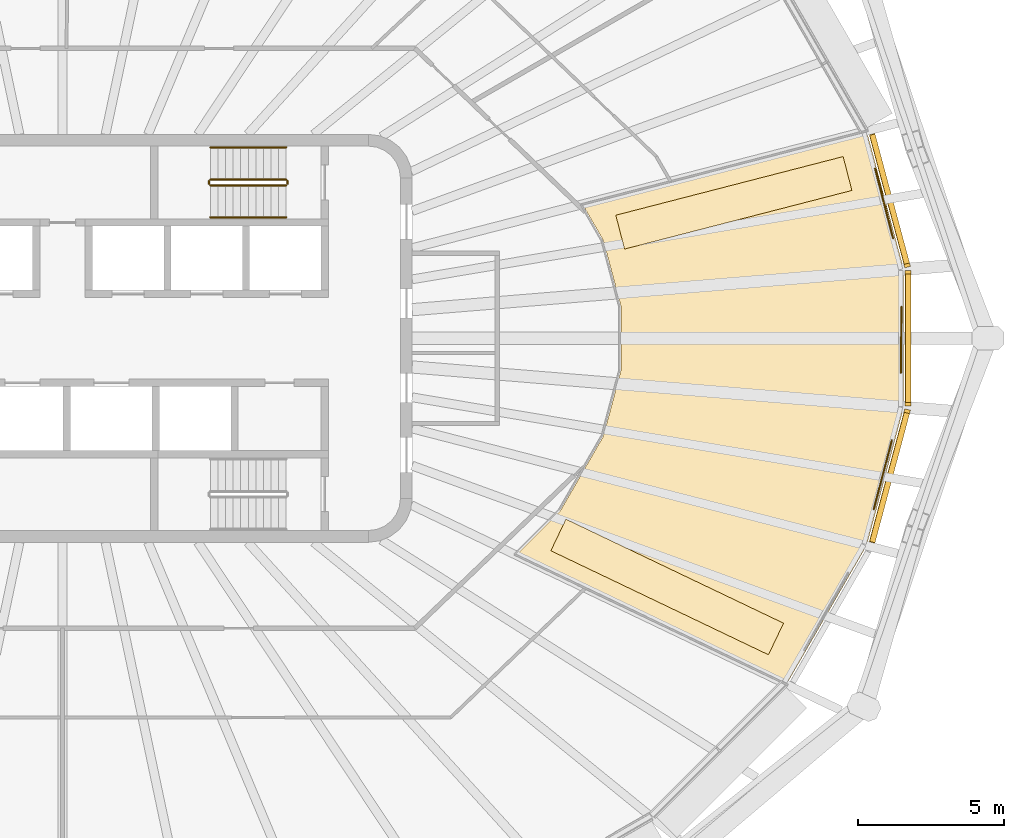
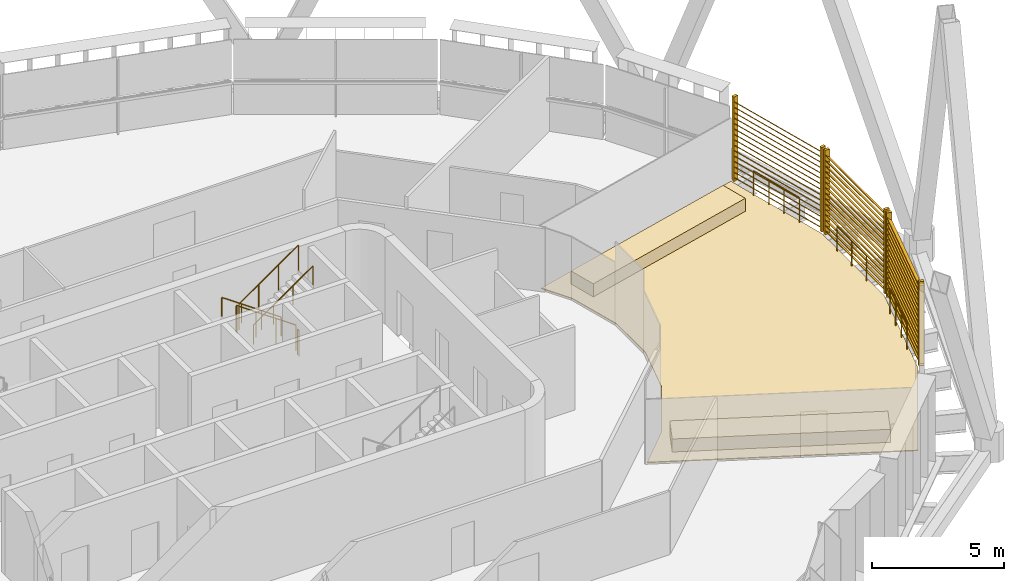
# One storey, part 21 of 22: 9 railings, 3 coverings, 3 shading devices.
"""IFC4 building model written with IfcOpenShell, lengths in metres."""

from ifc_helpers import new_model, si_unit, direction, frame, origin, origin_2d, place, context, subcontext, project, spatial, polyline, rectangle, circle, outline, extrude, material, layer, layer_set, type_object, element, save


model = new_model("IFC4")

# Units and contexts
model_context = context("Model", 3, precision=1e-05, world=origin(), true_north=direction((0.0, 1.0)))
body_context = subcontext(model_context, "Body", "Model", "MODEL_VIEW")
ifc_project = project(units=[si_unit("LENGTHUNIT", "METRE"), si_unit("AREAUNIT", "SQUARE_METRE"), si_unit("VOLUMEUNIT", "CUBIC_METRE"), si_unit("PLANEANGLEUNIT", "RADIAN"), si_unit("MASSUNIT", "GRAM", prefix="KILO")], contexts=[model_context])

# Site, building, storey
site_placement = place(None, origin())
site = spatial("IfcSite", under=ifc_project, at=site_placement, CompositionType="ELEMENT")
building_placement = place(site_placement, origin())
building = spatial("IfcBuilding", under=site, at=building_placement, Name="Sahrelin Media Tower", CompositionType="ELEMENT")
storey_placement = place(building_placement, frame((0.0, 0.0, 283.0)))
storey = spatial("IfcBuildingStorey", under=building, at=storey_placement, Name="L62", CompositionType="ELEMENT", Elevation=283.0)

# Covering
ifc_material_1 = material(Name="Stone paving", Category="masonry")
ifc_layer = layer(ifc_material_1, 0.0400390625)
ifc_layer_set = layer_set([ifc_layer], Name="Garden paving")
covering_type_1 = type_object("IfcCoveringType", Name="Garden paving", PredefinedType="FLOORING", material=ifc_layer_set)
covering_1_placement = place(storey_placement, origin())
element("IfcCovering", 1, at=covering_1_placement, inside=storey, type_object=covering_type_1, Name="Garden paving G8", PredefinedType="FLOORING", context=body_context, shape_type="SweptSolid", body=[
    extrude(outline(polyline([(28.868896484375, -2.362548828125), (27.59716796875, -7.1083984375), (24.8701171875, -11.831787109375), (15.598388671875, -7.400390625), (17.08837890625, -5.910400390625), (18.558349609375, -3.364501953125), (19.1689453125, -1.085693359375), (19.1689453125, 1.085693359375), (18.558349609375, 3.364501953125), (17.8701171875, 4.55615234375), (27.6083984375, 7.06689453125), (28.868896484375, 2.362548828125), (28.868896484375, -2.362548828125)])), origin(), (0.0, 0.0, 1.0), 0.0400390625),
])

# Shading devices
ifc_material_2 = material(Name="Champagne anodised aluminium 6063-T6", Category="aluminium")
shading_device_type = type_object("IfcShadingDeviceType", Name="Garden screen", PredefinedType="USERDEFINED", material=ifc_material_2)
shading_device_1_placement = place(storey_placement, frame((28.9189453125, 0.0, 0.0), z_axis=(0.0, 0.0, 1.0), x_axis=(0.0, -1.0, 0.0)))
element("IfcShadingDevice", 2, at=shading_device_1_placement, inside=storey, type_object=shading_device_type, Name="L62:SCREEN:L62-00", ObjectType="SCREEN", PredefinedType="USERDEFINED", context=body_context, shape_type="SweptSolid", body=[
    extrude(rectangle(XDim=0.1201171875, YDim=0.199951171875, at=origin_2d()), frame((2.25927734375, 0.10009765625, 0.050048828125), z_axis=(0.0, 0.0, 1.0), x_axis=(1.0, 0.0, 0.0)), (0.0, 0.0, 1.0), 3.89990234375),
    extrude(rectangle(XDim=0.1201171875, YDim=0.199951171875, at=origin_2d()), frame((-2.25927734375, 0.10009765625, 0.050048828125), z_axis=(0.0, 0.0, 1.0), x_axis=(1.0, 0.0, 0.0)), (0.0, 0.0, 1.0), 3.89990234375),
    extrude(rectangle(XDim=0.25, YDim=0.02001953125, at=origin_2d()), frame((2.19921875, 0.10009765625, 0.14990234375), z_axis=(-1.0, 0.0, 0.0), x_axis=(0.0, -0.766044443119, 0.642787609687)), (0.0, 0.0, 1.0), 4.3984375),
    extrude(rectangle(XDim=0.25, YDim=0.02001953125, at=origin_2d()), frame((2.19921875, 0.10009765625, 0.39990234375), z_axis=(-1.0, 0.0, 0.0), x_axis=(0.0, -0.766044443119, 0.642787609687)), (0.0, 0.0, 1.0), 4.3984375),
    extrude(rectangle(XDim=0.25, YDim=0.02001953125, at=origin_2d()), frame((2.19921875, 0.10009765625, 0.64990234375), z_axis=(-1.0, 0.0, 0.0), x_axis=(0.0, -0.766044443119, 0.642787609687)), (0.0, 0.0, 1.0), 4.3984375),
    extrude(rectangle(XDim=0.25, YDim=0.02001953125, at=origin_2d()), frame((2.19921875, 0.10009765625, 0.89990234375), z_axis=(-1.0, 0.0, 0.0), x_axis=(0.0, -0.766044443119, 0.642787609687)), (0.0, 0.0, 1.0), 4.3984375),
    extrude(rectangle(XDim=0.25, YDim=0.02001953125, at=origin_2d()), frame((2.19921875, 0.10009765625, 1.14990234375), z_axis=(-1.0, 0.0, 0.0), x_axis=(0.0, -0.766044443119, 0.642787609687)), (0.0, 0.0, 1.0), 4.3984375),
    extrude(rectangle(XDim=0.25, YDim=0.02001953125, at=origin_2d()), frame((2.19921875, 0.10009765625, 1.39990234375), z_axis=(-1.0, 0.0, 0.0), x_axis=(0.0, -0.766044443119, 0.642787609687)), (0.0, 0.0, 1.0), 4.3984375),
    extrude(rectangle(XDim=0.25, YDim=0.02001953125, at=origin_2d()), frame((2.19921875, 0.10009765625, 1.64990234375), z_axis=(-1.0, 0.0, 0.0), x_axis=(0.0, -0.766044443119, 0.642787609687)), (0.0, 0.0, 1.0), 4.3984375),
    extrude(rectangle(XDim=0.25, YDim=0.02001953125, at=origin_2d()), frame((2.19921875, 0.10009765625, 1.89990234375), z_axis=(-1.0, 0.0, 0.0), x_axis=(0.0, -0.766044443119, 0.642787609687)), (0.0, 0.0, 1.0), 4.3984375),
    extrude(rectangle(XDim=0.25, YDim=0.02001953125, at=origin_2d()), frame((2.19921875, 0.10009765625, 2.14990234375), z_axis=(-1.0, 0.0, 0.0), x_axis=(0.0, -0.766044443119, 0.642787609687)), (0.0, 0.0, 1.0), 4.3984375),
    extrude(rectangle(XDim=0.25, YDim=0.02001953125, at=origin_2d()), frame((2.19921875, 0.10009765625, 2.39990234375), z_axis=(-1.0, 0.0, 0.0), x_axis=(0.0, -0.766044443119, 0.642787609687)), (0.0, 0.0, 1.0), 4.3984375),
    extrude(rectangle(XDim=0.25, YDim=0.02001953125, at=origin_2d()), frame((2.19921875, 0.10009765625, 2.64990234375), z_axis=(-1.0, 0.0, 0.0), x_axis=(0.0, -0.766044443119, 0.642787609687)), (0.0, 0.0, 1.0), 4.3984375),
    extrude(rectangle(XDim=0.25, YDim=0.02001953125, at=origin_2d()), frame((2.19921875, 0.10009765625, 2.89990234375), z_axis=(-1.0, 0.0, 0.0), x_axis=(0.0, -0.766044443119, 0.642787609687)), (0.0, 0.0, 1.0), 4.3984375),
    extrude(rectangle(XDim=0.25, YDim=0.02001953125, at=origin_2d()), frame((2.19921875, 0.10009765625, 3.14990234375), z_axis=(-1.0, 0.0, 0.0), x_axis=(0.0, -0.766044443119, 0.642787609687)), (0.0, 0.0, 1.0), 4.3984375),
    extrude(rectangle(XDim=0.25, YDim=0.02001953125, at=origin_2d()), frame((2.19921875, 0.10009765625, 3.39990234375), z_axis=(-1.0, 0.0, 0.0), x_axis=(0.0, -0.766044443119, 0.642787609687)), (0.0, 0.0, 1.0), 4.3984375),
    extrude(rectangle(XDim=0.25, YDim=0.02001953125, at=origin_2d()), frame((2.19921875, 0.10009765625, 3.64990234375), z_axis=(-1.0, 0.0, 0.0), x_axis=(0.0, -0.766044443119, 0.642787609687)), (0.0, 0.0, 1.0), 4.3984375),
])
shading_device_2_placement = place(storey_placement, frame((28.28125, 4.74853515625, 0.0), z_axis=(0.0, 0.0, 1.0), x_axis=(0.258807731996, -0.965928857556, 0.0)))
element("IfcShadingDevice", 3, at=shading_device_2_placement, inside=storey, type_object=shading_device_type, Name="L62:SCREEN:L62-01", ObjectType="SCREEN", PredefinedType="USERDEFINED", context=body_context, shape_type="SweptSolid", body=[
    extrude(rectangle(XDim=0.1201171875, YDim=0.199951171875, at=origin_2d()), frame((2.353271484375, 0.10009765625, 0.050048828125), z_axis=(0.0, 0.0, 1.0), x_axis=(1.0, 0.0, 0.0)), (0.0, 0.0, 1.0), 3.89990234375),
    extrude(rectangle(XDim=0.1201171875, YDim=0.199951171875, at=origin_2d()), frame((-2.353271484375, 0.10009765625, 0.050048828125), z_axis=(0.0, 0.0, 1.0), x_axis=(1.0, 0.0, 0.0)), (0.0, 0.0, 1.0), 3.89990234375),
    extrude(rectangle(XDim=0.25, YDim=0.02001953125, at=origin_2d()), frame((2.293212890625, 0.10009765625, 0.14990234375), z_axis=(-1.0, 0.0, 0.0), x_axis=(0.0, -0.766044443119, 0.642787609687)), (0.0, 0.0, 1.0), 4.58642578125),
    extrude(rectangle(XDim=0.25, YDim=0.02001953125, at=origin_2d()), frame((2.293212890625, 0.10009765625, 0.39990234375), z_axis=(-1.0, 0.0, 0.0), x_axis=(0.0, -0.766044443119, 0.642787609687)), (0.0, 0.0, 1.0), 4.58642578125),
    extrude(rectangle(XDim=0.25, YDim=0.02001953125, at=origin_2d()), frame((2.293212890625, 0.10009765625, 0.64990234375), z_axis=(-1.0, 0.0, 0.0), x_axis=(0.0, -0.766044443119, 0.642787609687)), (0.0, 0.0, 1.0), 4.58642578125),
    extrude(rectangle(XDim=0.25, YDim=0.02001953125, at=origin_2d()), frame((2.293212890625, 0.10009765625, 0.89990234375), z_axis=(-1.0, 0.0, 0.0), x_axis=(0.0, -0.766044443119, 0.642787609687)), (0.0, 0.0, 1.0), 4.58642578125),
    extrude(rectangle(XDim=0.25, YDim=0.02001953125, at=origin_2d()), frame((2.293212890625, 0.10009765625, 1.14990234375), z_axis=(-1.0, 0.0, 0.0), x_axis=(0.0, -0.766044443119, 0.642787609687)), (0.0, 0.0, 1.0), 4.58642578125),
    extrude(rectangle(XDim=0.25, YDim=0.02001953125, at=origin_2d()), frame((2.293212890625, 0.10009765625, 1.39990234375), z_axis=(-1.0, 0.0, 0.0), x_axis=(0.0, -0.766044443119, 0.642787609687)), (0.0, 0.0, 1.0), 4.58642578125),
    extrude(rectangle(XDim=0.25, YDim=0.02001953125, at=origin_2d()), frame((2.293212890625, 0.10009765625, 1.64990234375), z_axis=(-1.0, 0.0, 0.0), x_axis=(0.0, -0.766044443119, 0.642787609687)), (0.0, 0.0, 1.0), 4.58642578125),
    extrude(rectangle(XDim=0.25, YDim=0.02001953125, at=origin_2d()), frame((2.293212890625, 0.10009765625, 1.89990234375), z_axis=(-1.0, 0.0, 0.0), x_axis=(0.0, -0.766044443119, 0.642787609687)), (0.0, 0.0, 1.0), 4.58642578125),
    extrude(rectangle(XDim=0.25, YDim=0.02001953125, at=origin_2d()), frame((2.293212890625, 0.10009765625, 2.14990234375), z_axis=(-1.0, 0.0, 0.0), x_axis=(0.0, -0.766044443119, 0.642787609687)), (0.0, 0.0, 1.0), 4.58642578125),
    extrude(rectangle(XDim=0.25, YDim=0.02001953125, at=origin_2d()), frame((2.293212890625, 0.10009765625, 2.39990234375), z_axis=(-1.0, 0.0, 0.0), x_axis=(0.0, -0.766044443119, 0.642787609687)), (0.0, 0.0, 1.0), 4.58642578125),
    extrude(rectangle(XDim=0.25, YDim=0.02001953125, at=origin_2d()), frame((2.293212890625, 0.10009765625, 2.64990234375), z_axis=(-1.0, 0.0, 0.0), x_axis=(0.0, -0.766044443119, 0.642787609687)), (0.0, 0.0, 1.0), 4.58642578125),
    extrude(rectangle(XDim=0.25, YDim=0.02001953125, at=origin_2d()), frame((2.293212890625, 0.10009765625, 2.89990234375), z_axis=(-1.0, 0.0, 0.0), x_axis=(0.0, -0.766044443119, 0.642787609687)), (0.0, 0.0, 1.0), 4.58642578125),
    extrude(rectangle(XDim=0.25, YDim=0.02001953125, at=origin_2d()), frame((2.293212890625, 0.10009765625, 3.14990234375), z_axis=(-1.0, 0.0, 0.0), x_axis=(0.0, -0.766044443119, 0.642787609687)), (0.0, 0.0, 1.0), 4.58642578125),
    extrude(rectangle(XDim=0.25, YDim=0.02001953125, at=origin_2d()), frame((2.293212890625, 0.10009765625, 3.39990234375), z_axis=(-1.0, 0.0, 0.0), x_axis=(0.0, -0.766044443119, 0.642787609687)), (0.0, 0.0, 1.0), 4.58642578125),
    extrude(rectangle(XDim=0.25, YDim=0.02001953125, at=origin_2d()), frame((2.293212890625, 0.10009765625, 3.64990234375), z_axis=(-1.0, 0.0, 0.0), x_axis=(0.0, -0.766044443119, 0.642787609687)), (0.0, 0.0, 1.0), 4.58642578125),
])
shading_device_3_placement = place(storey_placement, frame((28.28125, -4.74853515625, 0.0), z_axis=(0.0, 0.0, 1.0), x_axis=(-0.258807731996, -0.965928857556, 0.0)))
element("IfcShadingDevice", 4, at=shading_device_3_placement, inside=storey, type_object=shading_device_type, Name="L62:SCREEN:L62-23", ObjectType="SCREEN", PredefinedType="USERDEFINED", context=body_context, shape_type="SweptSolid", body=[
    extrude(rectangle(XDim=0.1201171875, YDim=0.199951171875, at=origin_2d()), frame((2.353271484375, 0.10009765625, 0.050048828125), z_axis=(0.0, 0.0, 1.0), x_axis=(1.0, 0.0, 0.0)), (0.0, 0.0, 1.0), 3.89990234375),
    extrude(rectangle(XDim=0.1201171875, YDim=0.199951171875, at=origin_2d()), frame((-2.353271484375, 0.10009765625, 0.050048828125), z_axis=(0.0, 0.0, 1.0), x_axis=(1.0, 0.0, 0.0)), (0.0, 0.0, 1.0), 3.89990234375),
    extrude(rectangle(XDim=0.25, YDim=0.02001953125, at=origin_2d()), frame((2.293212890625, 0.10009765625, 0.14990234375), z_axis=(-1.0, 0.0, 0.0), x_axis=(0.0, -0.766044443119, 0.642787609687)), (0.0, 0.0, 1.0), 4.58642578125),
    extrude(rectangle(XDim=0.25, YDim=0.02001953125, at=origin_2d()), frame((2.293212890625, 0.10009765625, 0.39990234375), z_axis=(-1.0, 0.0, 0.0), x_axis=(0.0, -0.766044443119, 0.642787609687)), (0.0, 0.0, 1.0), 4.58642578125),
    extrude(rectangle(XDim=0.25, YDim=0.02001953125, at=origin_2d()), frame((2.293212890625, 0.10009765625, 0.64990234375), z_axis=(-1.0, 0.0, 0.0), x_axis=(0.0, -0.766044443119, 0.642787609687)), (0.0, 0.0, 1.0), 4.58642578125),
    extrude(rectangle(XDim=0.25, YDim=0.02001953125, at=origin_2d()), frame((2.293212890625, 0.10009765625, 0.89990234375), z_axis=(-1.0, 0.0, 0.0), x_axis=(0.0, -0.766044443119, 0.642787609687)), (0.0, 0.0, 1.0), 4.58642578125),
    extrude(rectangle(XDim=0.25, YDim=0.02001953125, at=origin_2d()), frame((2.293212890625, 0.10009765625, 1.14990234375), z_axis=(-1.0, 0.0, 0.0), x_axis=(0.0, -0.766044443119, 0.642787609687)), (0.0, 0.0, 1.0), 4.58642578125),
    extrude(rectangle(XDim=0.25, YDim=0.02001953125, at=origin_2d()), frame((2.293212890625, 0.10009765625, 1.39990234375), z_axis=(-1.0, 0.0, 0.0), x_axis=(0.0, -0.766044443119, 0.642787609687)), (0.0, 0.0, 1.0), 4.58642578125),
    extrude(rectangle(XDim=0.25, YDim=0.02001953125, at=origin_2d()), frame((2.293212890625, 0.10009765625, 1.64990234375), z_axis=(-1.0, 0.0, 0.0), x_axis=(0.0, -0.766044443119, 0.642787609687)), (0.0, 0.0, 1.0), 4.58642578125),
    extrude(rectangle(XDim=0.25, YDim=0.02001953125, at=origin_2d()), frame((2.293212890625, 0.10009765625, 1.89990234375), z_axis=(-1.0, 0.0, 0.0), x_axis=(0.0, -0.766044443119, 0.642787609687)), (0.0, 0.0, 1.0), 4.58642578125),
    extrude(rectangle(XDim=0.25, YDim=0.02001953125, at=origin_2d()), frame((2.293212890625, 0.10009765625, 2.14990234375), z_axis=(-1.0, 0.0, 0.0), x_axis=(0.0, -0.766044443119, 0.642787609687)), (0.0, 0.0, 1.0), 4.58642578125),
    extrude(rectangle(XDim=0.25, YDim=0.02001953125, at=origin_2d()), frame((2.293212890625, 0.10009765625, 2.39990234375), z_axis=(-1.0, 0.0, 0.0), x_axis=(0.0, -0.766044443119, 0.642787609687)), (0.0, 0.0, 1.0), 4.58642578125),
    extrude(rectangle(XDim=0.25, YDim=0.02001953125, at=origin_2d()), frame((2.293212890625, 0.10009765625, 2.64990234375), z_axis=(-1.0, 0.0, 0.0), x_axis=(0.0, -0.766044443119, 0.642787609687)), (0.0, 0.0, 1.0), 4.58642578125),
    extrude(rectangle(XDim=0.25, YDim=0.02001953125, at=origin_2d()), frame((2.293212890625, 0.10009765625, 2.89990234375), z_axis=(-1.0, 0.0, 0.0), x_axis=(0.0, -0.766044443119, 0.642787609687)), (0.0, 0.0, 1.0), 4.58642578125),
    extrude(rectangle(XDim=0.25, YDim=0.02001953125, at=origin_2d()), frame((2.293212890625, 0.10009765625, 3.14990234375), z_axis=(-1.0, 0.0, 0.0), x_axis=(0.0, -0.766044443119, 0.642787609687)), (0.0, 0.0, 1.0), 4.58642578125),
    extrude(rectangle(XDim=0.25, YDim=0.02001953125, at=origin_2d()), frame((2.293212890625, 0.10009765625, 3.39990234375), z_axis=(-1.0, 0.0, 0.0), x_axis=(0.0, -0.766044443119, 0.642787609687)), (0.0, 0.0, 1.0), 4.58642578125),
    extrude(rectangle(XDim=0.25, YDim=0.02001953125, at=origin_2d()), frame((2.293212890625, 0.10009765625, 3.64990234375), z_axis=(-1.0, 0.0, 0.0), x_axis=(0.0, -0.766044443119, 0.642787609687)), (0.0, 0.0, 1.0), 4.58642578125),
])

# Railings
ifc_material_3 = material(Name="Stainless steel 316", Category="steel")
railing_type_1 = type_object("IfcRailingType", Name="Sky garden guard", PredefinedType="GUARDRAIL", material=ifc_material_3)
railing_1_placement = place(storey_placement, frame((27.84228515625, -5.859130859375, 0.0)))
element("IfcRailing", 5, at=railing_1_placement, inside=storey, type_object=railing_type_1, Name="Sky garden guard G8-2", PredefinedType="GUARDRAIL", context=body_context, shape_type="SweptSolid", body=[
    extrude(circle(Radius=0.02392578125, at=origin_2d()), frame((0.0, 0.0, 1.17578125), z_axis=(0.253564993159, 0.967318352066, 0.0), x_axis=(-0.967318352066, 0.253564993159, 0.0)), (0.0, 0.0, 1.0), 2.43408203125),
    extrude(circle(Radius=0.02099609375, at=origin_2d()), origin(), (0.0, 0.0, 1.0), 1.15185546875),
    extrude(circle(Radius=0.02099609375, at=origin_2d()), frame((0.205810546875, 0.784912109375, 0.0)), (0.0, 0.0, 1.0), 1.15185546875),
    extrude(circle(Radius=0.02099609375, at=origin_2d()), frame((0.411376953125, 1.569580078125, 0.0)), (0.0, 0.0, 1.0), 1.15185546875),
    extrude(circle(Radius=0.02099609375, at=origin_2d()), frame((0.6171875, 2.3544921875, 0.0)), (0.0, 0.0, 1.0), 1.15185546875),
])
railing_2_placement = place(storey_placement, frame((28.771484375, -1.17626953125, 0.0)))
element("IfcRailing", 6, at=railing_2_placement, inside=storey, type_object=railing_type_1, Name="Sky garden guard G8-3", PredefinedType="GUARDRAIL", context=body_context, shape_type="SweptSolid", body=[
    extrude(circle(Radius=0.02392578125, at=origin_2d()), frame((0.0, 0.0, 1.17578125), z_axis=(0.008251619171, 0.999965954811, 0.0), x_axis=(-0.999965954811, 0.008251619171, 0.0)), (0.0, 0.0, 1.0), 2.24853515625),
    extrude(circle(Radius=0.02099609375, at=origin_2d()), origin(), (0.0, 0.0, 1.0), 1.15185546875),
    extrude(circle(Radius=0.02099609375, at=origin_2d()), frame((0.00927734375, 1.124267578125, 0.0)), (0.0, 0.0, 1.0), 1.15185546875),
    extrude(circle(Radius=0.02099609375, at=origin_2d()), frame((0.0185546875, 2.24853515625, 0.0)), (0.0, 0.0, 1.0), 1.15185546875),
])
railing_3_placement = place(storey_placement, frame((28.5029296875, 3.43212890625, 0.0)))
element("IfcRailing", 7, at=railing_3_placement, inside=storey, type_object=railing_type_1, Name="Sky garden guard G8-4", PredefinedType="GUARDRAIL", context=body_context, shape_type="SweptSolid", body=[
    extrude(circle(Radius=0.02392578125, at=origin_2d()), frame((0.0, 0.0, 1.17578125), z_axis=(-0.250409970534, 0.968139890025, 0.0), x_axis=(-0.968139890025, -0.250409970534, 0.0)), (0.0, 0.0, 1.0), 2.470458984375),
    extrude(circle(Radius=0.02099609375, at=origin_2d()), origin(), (0.0, 0.0, 1.0), 1.15185546875),
    extrude(circle(Radius=0.02099609375, at=origin_2d()), frame((-0.206298828125, 0.79736328125, 0.0)), (0.0, 0.0, 1.0), 1.15185546875),
    extrude(circle(Radius=0.02099609375, at=origin_2d()), frame((-0.412353515625, 1.594482421875, 0.0)), (0.0, 0.0, 1.0), 1.15185546875),
    extrude(circle(Radius=0.02099609375, at=origin_2d()), frame((-0.61865234375, 2.391845703125, 0.0)), (0.0, 0.0, 1.0), 1.15185546875),
])

# Coverings
ifc_material_4 = material(Name="Planting and soil")
covering_type_2 = type_object("IfcCoveringType", Name="Sky garden planter", PredefinedType="USERDEFINED", material=ifc_material_4)
covering_2_placement = place(storey_placement, frame((20.751708984375, -8.533447265625, 0.0400390625), z_axis=(0.0, 0.0, 1.0), x_axis=(-0.902236346422, 0.431241898701, 0.0)))
element("IfcCovering", 8, at=covering_2_placement, inside=storey, type_object=covering_type_2, Name="Sky garden planter G8-1", ObjectType="PLANTER", PredefinedType="USERDEFINED", context=body_context, shape_type="SweptSolid", body=[
    extrude(rectangle(XDim=8.2763671875, YDim=1.199951171875, at=origin_2d()), origin(), (0.0, 0.0, 1.0), 0.60009765625),
])
covering_3_placement = place(storey_placement, frame((23.038818359375, 4.649658203125, 0.0400390625), z_axis=(0.0, 0.0, 1.0), x_axis=(0.968329175325, 0.24967700778, 0.0)))
element("IfcCovering", 9, at=covering_3_placement, inside=storey, type_object=covering_type_2, Name="Sky garden planter G8-2", ObjectType="PLANTER", PredefinedType="USERDEFINED", context=body_context, shape_type="SweptSolid", body=[
    extrude(rectangle(XDim=8.056640625, YDim=1.199951171875, at=origin_2d()), origin(), (0.0, 0.0, 1.0), 0.60009765625),
])

# Railings
ifc_material_5 = material(Name="Steel S355", Category="steel")
railing_type_2 = type_object("IfcRailingType", Name="Stair guard 1200", PredefinedType="GUARDRAIL", material=ifc_material_5)
railing_4_placement = place(storey_placement, frame((7.675048828125, 5.449951171875, 0.181884765625)))
element("IfcRailing", 10, at=railing_4_placement, inside=storey, type_object=railing_type_2, Name="L62 ST3 stair guard 1", PredefinedType="GUARDRAIL", context=body_context, shape_type="SweptSolid", body=[
    extrude(circle(Radius=0.02392578125, at=origin_2d()), frame((0.0, 0.0, 1.17578125), z_axis=(-0.819521025635, 0.0, 0.573049115296), x_axis=(0.0, -1.0, 0.0)), (0.0, 0.0, 1.0), 3.172607421875),
    extrude(circle(Radius=0.02099609375, at=origin_2d()), origin(), (0.0, 0.0, 1.0), 1.15185546875),
    extrude(circle(Radius=0.02099609375, at=origin_2d()), frame((-0.86669921875, 0.0, 0.60595703125)), (0.0, 0.0, 1.0), 1.15185546875),
    extrude(circle(Radius=0.02099609375, at=origin_2d()), frame((-1.7333984375, 0.0, 1.212158203125)), (0.0, 0.0, 1.0), 1.15185546875),
    extrude(circle(Radius=0.02099609375, at=origin_2d()), frame((-2.60009765625, 0.0, 1.818115234375)), (0.0, 0.0, 1.0), 1.15185546875),
])
railing_5_placement = place(storey_placement, frame((5.02490234375, 5.39990234375, 2.0)))
element("IfcRailing", 11, at=railing_5_placement, inside=storey, type_object=railing_type_2, Name="L62 ST3 stair guard 2", PredefinedType="GUARDRAIL", context=body_context, shape_type="SweptSolid", body=[
    extrude(circle(Radius=0.02392578125, at=origin_2d()), frame((0.0, 0.0, 1.17578125), z_axis=(0.0, -1.0, 0.0), x_axis=(1.0, 0.0, 0.0)), (0.0, 0.0, 1.0), 0.099853515625),
    extrude(circle(Radius=0.02099609375, at=origin_2d()), origin(), (0.0, 0.0, 1.0), 1.15185546875),
    extrude(circle(Radius=0.02099609375, at=origin_2d()), frame((0.0, -0.099853515625, 0.0)), (0.0, 0.0, 1.0), 1.15185546875),
])
railing_6_placement = place(storey_placement, frame((5.074951171875, 5.25, 2.181884765625)))
element("IfcRailing", 12, at=railing_6_placement, inside=storey, type_object=railing_type_2, Name="L62 ST3 stair guard 3", PredefinedType="GUARDRAIL", context=body_context, shape_type="SweptSolid", body=[
    extrude(circle(Radius=0.02392578125, at=origin_2d()), frame((0.0, 0.0, 1.17578125), z_axis=(0.819521025635, 0.0, 0.573049115296), x_axis=(0.0, 1.0, 0.0)), (0.0, 0.0, 1.0), 3.172607421875),
    extrude(circle(Radius=0.02099609375, at=origin_2d()), origin(), (0.0, 0.0, 1.0), 1.15185546875),
    extrude(circle(Radius=0.02099609375, at=origin_2d()), frame((0.86669921875, 0.0, 0.60595703125)), (0.0, 0.0, 1.0), 1.15185546875),
    extrude(circle(Radius=0.02099609375, at=origin_2d()), frame((1.7333984375, 0.0, 1.212158203125)), (0.0, 0.0, 1.0), 1.15185546875),
    extrude(circle(Radius=0.02099609375, at=origin_2d()), frame((2.60009765625, 0.0, 1.818115234375)), (0.0, 0.0, 1.0), 1.15185546875),
])
railing_7_placement = place(storey_placement, frame((7.72509765625, 5.39990234375, 0.0)))
element("IfcRailing", 13, at=railing_7_placement, inside=storey, type_object=railing_type_2, Name="L62 ST3 stair guard 4", PredefinedType="GUARDRAIL", context=body_context, shape_type="SweptSolid", body=[
    extrude(circle(Radius=0.02392578125, at=origin_2d()), frame((0.0, 0.0, 1.17578125), z_axis=(0.0, -1.0, 0.0), x_axis=(1.0, 0.0, 0.0)), (0.0, 0.0, 1.0), 0.099853515625),
    extrude(circle(Radius=0.02099609375, at=origin_2d()), origin(), (0.0, 0.0, 1.0), 1.15185546875),
    extrude(circle(Radius=0.02099609375, at=origin_2d()), frame((0.0, -0.099853515625, 0.0)), (0.0, 0.0, 1.0), 1.15185546875),
])
railing_type_3 = type_object("IfcRailingType", Name="Stair handrail 900", PredefinedType="HANDRAIL", material=ifc_material_5)
railing_8_placement = place(storey_placement, frame((7.675048828125, 6.550048828125, 0.181884765625)))
element("IfcRailing", 14, at=railing_8_placement, inside=storey, type_object=railing_type_3, Name="L62 ST3 stair handrail 1", PredefinedType="HANDRAIL", context=body_context, shape_type="SweptSolid", body=[
    extrude(circle(Radius=0.02392578125, at=origin_2d()), frame((0.0, 0.0, 0.8759765625), z_axis=(-0.819521025635, 0.0, 0.573049115296), x_axis=(0.0, -1.0, 0.0)), (0.0, 0.0, 1.0), 3.172607421875),
    extrude(circle(Radius=0.02099609375, at=origin_2d()), origin(), (0.0, 0.0, 1.0), 0.851806640625),
    extrude(circle(Radius=0.02099609375, at=origin_2d()), frame((-0.86669921875, 0.0, 0.60595703125)), (0.0, 0.0, 1.0), 0.851806640625),
    extrude(circle(Radius=0.02099609375, at=origin_2d()), frame((-1.7333984375, 0.0, 1.212158203125)), (0.0, 0.0, 1.0), 0.851806640625),
    extrude(circle(Radius=0.02099609375, at=origin_2d()), frame((-2.60009765625, 0.0, 1.818115234375)), (0.0, 0.0, 1.0), 0.851806640625),
])
railing_9_placement = place(storey_placement, frame((5.074951171875, 4.14990234375, 2.181884765625)))
element("IfcRailing", 15, at=railing_9_placement, inside=storey, type_object=railing_type_3, Name="L62 ST3 stair handrail 2", PredefinedType="HANDRAIL", context=body_context, shape_type="SweptSolid", body=[
    extrude(circle(Radius=0.02392578125, at=origin_2d()), frame((0.0, 0.0, 0.8759765625), z_axis=(0.819521025635, 0.0, 0.573049115296), x_axis=(0.0, 1.0, 0.0)), (0.0, 0.0, 1.0), 3.172607421875),
    extrude(circle(Radius=0.02099609375, at=origin_2d()), origin(), (0.0, 0.0, 1.0), 0.851806640625),
    extrude(circle(Radius=0.02099609375, at=origin_2d()), frame((0.86669921875, 0.0, 0.60595703125)), (0.0, 0.0, 1.0), 0.851806640625),
    extrude(circle(Radius=0.02099609375, at=origin_2d()), frame((1.7333984375, 0.0, 1.212158203125)), (0.0, 0.0, 1.0), 0.851806640625),
    extrude(circle(Radius=0.02099609375, at=origin_2d()), frame((2.60009765625, 0.0, 1.818115234375)), (0.0, 0.0, 1.0), 0.851806640625),
])

save(model, "model.ifc")
